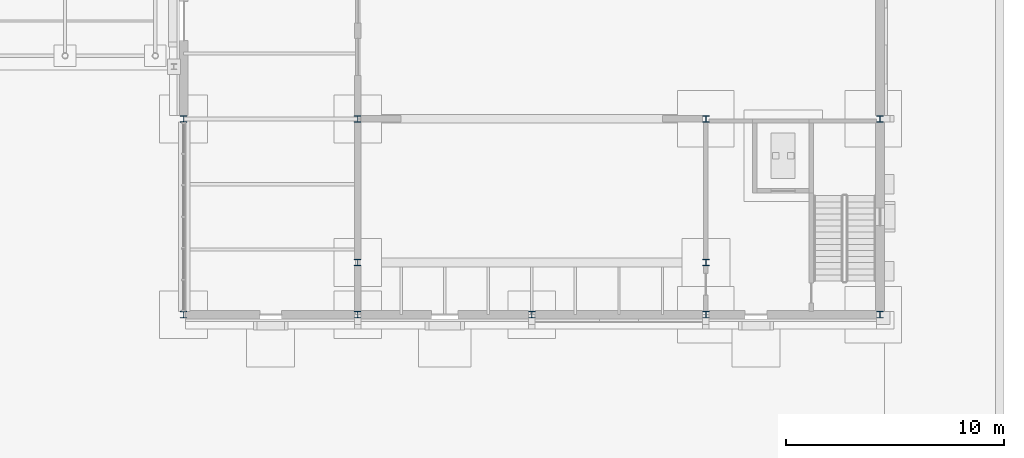
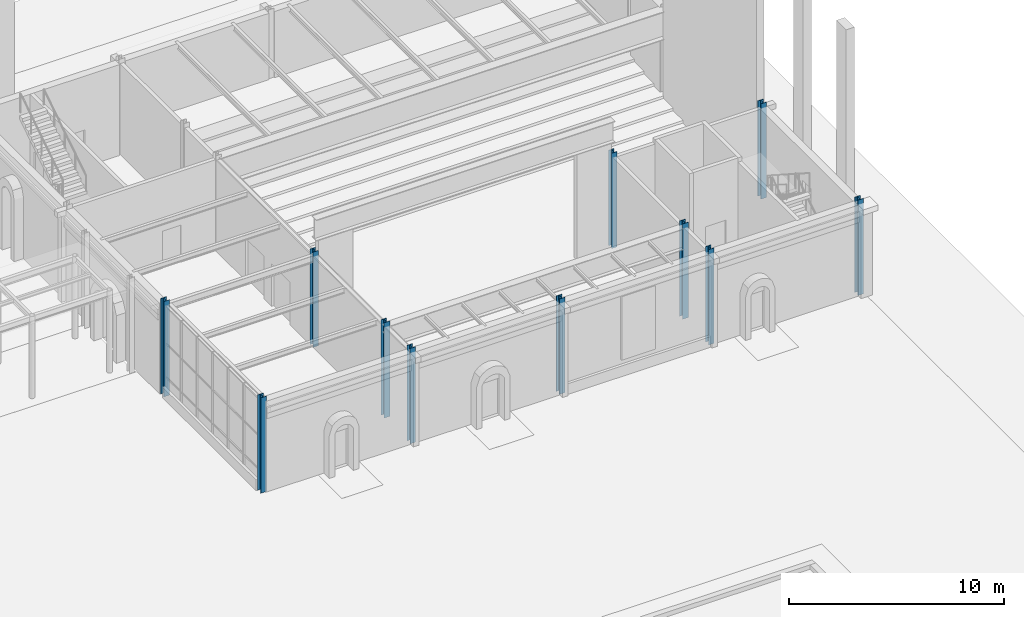
# One storey, part 26 of 126: 11 columns.
"""IFC4 building model written with IfcOpenShell, lengths in metres."""

from ifc_helpers import new_model, si_unit, direction, frame, origin, origin_2d, place, context, subcontext, project, spatial, i_section, extrude, material, material_profile, profile_set, type_object, element, save


model = new_model("IFC4")

# Units and contexts
model_context = context("Model", 3, precision=1e-05, world=origin(), true_north=direction((0.0, 1.0)))
body_context = subcontext(model_context, "Body", "Model", "MODEL_VIEW")
ifc_project = project(units=[si_unit("LENGTHUNIT", "METRE"), si_unit("AREAUNIT", "SQUARE_METRE"), si_unit("VOLUMEUNIT", "CUBIC_METRE"), si_unit("PLANEANGLEUNIT", "RADIAN"), si_unit("MASSUNIT", "GRAM", prefix="KILO")], contexts=[model_context])

# Site, building, storey
site_placement = place(None, origin())
site = spatial("IfcSite", under=ifc_project, at=site_placement, CompositionType="ELEMENT")
building_placement = place(site_placement, origin())
building = spatial("IfcBuilding", under=site, at=building_placement, Name="Kallimachos Central Library", CompositionType="ELEMENT")
storey_placement = place(building_placement, origin())
storey = spatial("IfcBuildingStorey", under=building, at=storey_placement, Name="L00", CompositionType="ELEMENT", Elevation=0.0)

# Columns
ifc_material = material(Name="Steel S355J2", Category="steel")
ifc_material_profile = material_profile(ifc_material, i_section(OverallWidth=0.300048828125, OverallDepth=0.300048828125, WebThickness=0.010986328125, FlangeThickness=0.01904296875, FilletRadius=0.027099609375, at=origin_2d()), Name="HEB 300")
ifc_profile_set = profile_set([ifc_material_profile], Name="Steel S355J2")
column_type = type_object("IfcColumnType", Name="HEB 300 column", PredefinedType="COLUMN", material=ifc_profile_set)
for number, where, z_axis, x_axis, name in (
    (1, (138.0, 87.0, 0.0), (0.0, 0.0, 1.0), (1.0, 0.0, 0.0), "V3-COL-L00-001"),
    (2, (170.0, 87.0, 0.0), (0.0, 0.0, 1.0), (1.0, 0.0, 0.0), "V3-COL-L00-002"),
    (3, (138.0, 96.0, 0.0), (0.0, 0.0, 1.0), (1.0, 0.0, 0.0), "V3-COL-L00-003"),
    (4, (170.0, 96.0, 0.0), (0.0, 0.0, 1.0), (1.0, 0.0, 0.0), "V3-COL-L00-004"),
    (5, (146.0, 87.0, 0.0), (0.0, 0.0, 1.0), (1.0, 0.0, 0.0), "V3-COL-L00-009"),
    (6, (146.0, 89.39990234375, 0.0), (0.0, 0.0, 1.0), (1.0, 0.0, 0.0), "V3-COL-L00-010"),
    (7, (146.0, 96.0, 0.0), (0.0, 0.0, 1.0), (1.0, 0.0, 0.0), "V3-COL-L00-011"),
    (8, (162.0, 87.0, 0.0), (0.0, 0.0, 1.0), (1.0, 0.0, 0.0), "V3-COL-L00-015"),
    (9, (162.0, 96.0, 0.0), (0.0, 0.0, 1.0), (1.0, 0.0, 0.0), "V3-COL-L00-016"),
    (10, (162.0, 89.39990234375, 0.0), (0.0, 0.0, 1.0), (1.0, 0.0, 0.0), "V3-COL-L00-017"),
    (11, (154.0, 87.0, 0.0), (0.0, 0.0, 1.0), (1.0, 0.0, 0.0), "V3-COL-L00-018"),
):
    element("IfcColumn", number, at=place(storey_placement, frame(where, z_axis=z_axis, x_axis=x_axis)), inside=storey, type_object=column_type, Name=name, PredefinedType="COLUMN", context=body_context, shape_type="SweptSolid", body=[
        extrude(i_section(OverallWidth=0.300048828125, OverallDepth=0.300048828125, WebThickness=0.010986328125, FlangeThickness=0.01904296875, FilletRadius=0.027099609375, at=origin_2d()), origin(), (0.0, 0.0, 1.0), 5.39990234375),
    ])

save(model, "model.ifc")
